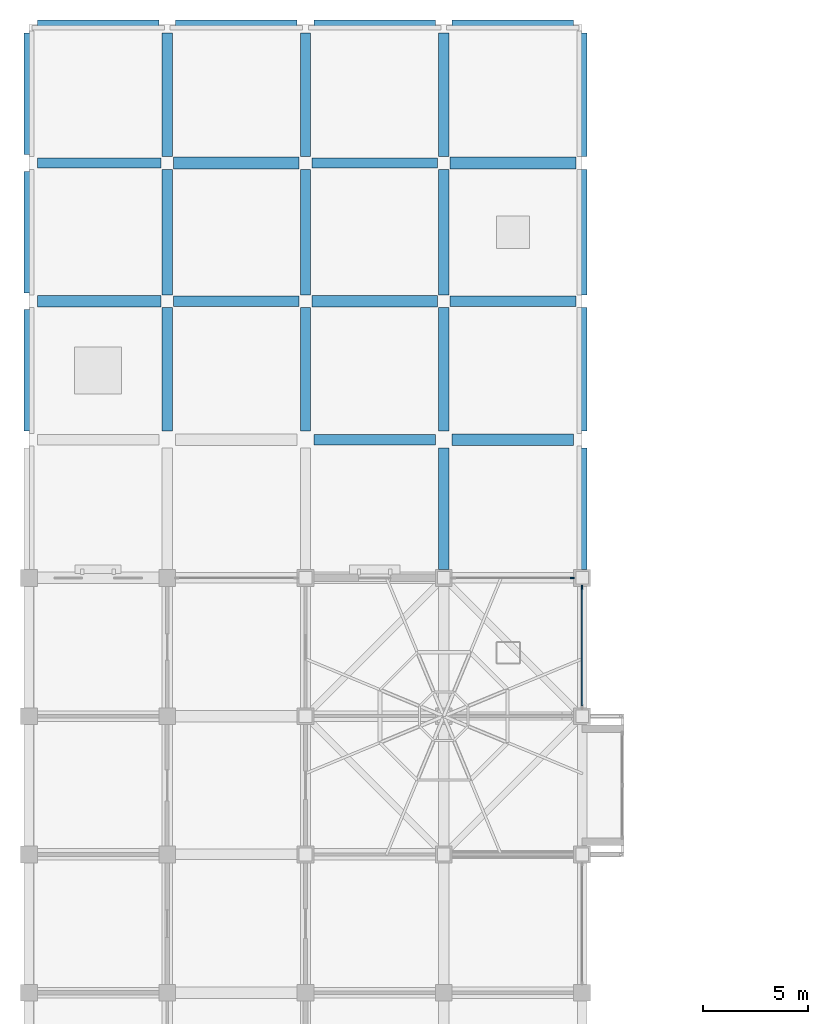
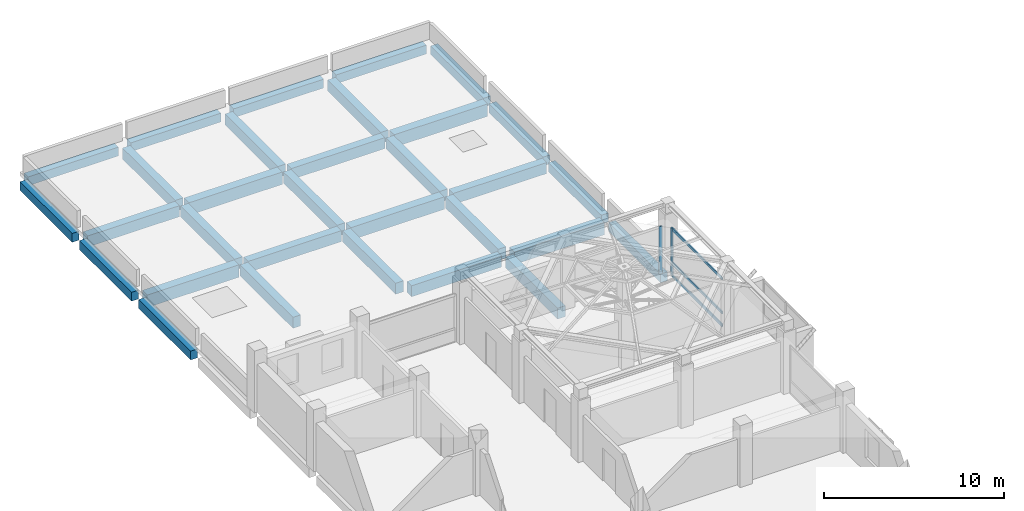
# One storey, part 14 of 30: 31 beams, 5 members, 2 elements without a shape of their own.
"""IFC4 building model written with IfcOpenShell, lengths in metres."""

from ifc_helpers import new_model, si_unit, direction, frame, origin, origin_2d, place, context, subcontext, project, spatial, rectangle, extrude, material, material_profile, profile_set, type_object, element, aggregate, save


model = new_model("IFC4")

# Units and contexts
model_context = context("Model", 3, precision=1e-05, world=origin(), true_north=direction((0.0, 1.0)))
body_context = subcontext(model_context, "Body", "Model", "MODEL_VIEW")
ifc_project = project(units=[si_unit("LENGTHUNIT", "METRE"), si_unit("AREAUNIT", "SQUARE_METRE"), si_unit("VOLUMEUNIT", "CUBIC_METRE"), si_unit("PLANEANGLEUNIT", "RADIAN"), si_unit("MASSUNIT", "GRAM", prefix="KILO")], contexts=[model_context])

# Site, building, storey
site_placement = place(None, origin())
site = spatial("IfcSite", under=ifc_project, at=site_placement, CompositionType="ELEMENT")
building_placement = place(site_placement, origin())
building = spatial("IfcBuilding", under=site, at=building_placement, Name="Rusizi Kubbe Research Institute", CompositionType="ELEMENT")
storey_placement = place(building_placement, frame((0.0, 0.0, 10.199951171875)))
storey = spatial("IfcBuildingStorey", under=building, at=storey_placement, Name="L02", CompositionType="ELEMENT", Elevation=10.199951171875)

# Beams
ifc_material_1 = material(Name="Concrete C40/50", Category="concrete")
ifc_material_profile_1 = material_profile(ifc_material_1, rectangle(XDim=0.449951171875, YDim=0.60009765625, at=origin_2d()), Name="RC450x600")
ifc_profile_set_1 = profile_set([ifc_material_profile_1], Name="Concrete C40/50")
beam_type_1 = type_object("IfcBeamType", Name="BM-RC450x600", PredefinedType="SPANDREL", material=ifc_profile_set_1)
for number, where, z_axis, x_axis, name in (
    (1, (0.39990234375, 145.199951171875, -0.64990234375), (1.0, 0.0, 0.0), (0.0, 1.0, 0.0), "Grid Beam H L02 (0,22)"),
    (2, (7.0, 145.199951171875, -0.64990234375), (1.0, 0.0, 0.0), (0.0, 1.0, 0.0), "Grid Beam H L02 (1,22)"),
):
    element("IfcBeam", number, at=place(storey_placement, frame(where, z_axis=z_axis, x_axis=x_axis)), inside=storey, type_object=beam_type_1, Name=name, PredefinedType="SPANDREL", context=body_context, shape_type="SweptSolid", body=[
        extrude(rectangle(XDim=0.449951171875, YDim=0.60009765625, at=origin_2d()), origin(), (0.0, 0.0, 1.0), 5.800048828125),
    ])
beam_1_placement = place(storey_placement, frame((13.60009765625, 145.199951171875, -0.64990234375), z_axis=(1.0, 0.0, 0.0), x_axis=(0.0, 1.0, 0.0)))
element("IfcBeam", 3, at=beam_1_placement, inside=storey, type_object=beam_type_1, Name="Grid Beam H L02 (2,22)", PredefinedType="SPANDREL", context=body_context, shape_type="SweptSolid", body=[
    extrude(rectangle(XDim=0.449951171875, YDim=0.60009765625, at=origin_2d()), origin(), (0.0, 0.0, 1.0), 5.7998046875),
])
for number, where, z_axis, x_axis, name in (
    (4, (20.199951171875, 145.199951171875, -0.64990234375), (1.0, 0.0, 0.0), (0.0, 1.0, 0.0), "Grid Beam H L02 (3,22)"),
    (5, (0.0, 125.800048828125, -0.64990234375), (0.0, 1.0, 0.0), (-1.0, 0.0, 0.0), "Grid Beam V L02 (0,19)"),
    (6, (0.0, 132.39990234375, -0.64990234375), (0.0, 1.0, 0.0), (-1.0, 0.0, 0.0), "Grid Beam V L02 (0,20)"),
    (7, (0.0, 139.0, -0.64990234375), (0.0, 1.0, 0.0), (-1.0, 0.0, 0.0), "Grid Beam V L02 (0,21)"),
    (8, (26.39990234375, 119.199951171875, -0.64990234375), (0.0, 1.0, 0.0), (-1.0, 0.0, 0.0), "Grid Beam V L02 (4,18)"),
):
    element("IfcBeam", number, at=place(storey_placement, frame(where, z_axis=z_axis, x_axis=x_axis)), inside=storey, type_object=beam_type_1, Name=name, PredefinedType="SPANDREL", context=body_context, shape_type="SweptSolid", body=[
        extrude(rectangle(XDim=0.449951171875, YDim=0.60009765625, at=origin_2d()), origin(), (0.0, 0.0, 1.0), 5.800048828125),
    ])
beam_2_placement = place(storey_placement, frame((26.39990234375, 125.800048828125, -0.64990234375), z_axis=(0.0, 1.0, 0.0), x_axis=(-1.0, 0.0, 0.0)))
element("IfcBeam", 9, at=beam_2_placement, inside=storey, type_object=beam_type_1, Name="Grid Beam V L02 (4,19)", PredefinedType="SPANDREL", context=body_context, shape_type="SweptSolid", body=[
    extrude(rectangle(XDim=0.449951171875, YDim=0.60009765625, at=origin_2d()), origin(), (0.0, 0.0, 1.0), 5.89990234375),
])
beam_3_placement = place(storey_placement, frame((26.39990234375, 132.300048828125, -0.64990234375), z_axis=(0.0, 1.0, 0.0), x_axis=(-1.0, 0.0, 0.0)))
element("IfcBeam", 10, at=beam_3_placement, inside=storey, type_object=beam_type_1, Name="Grid Beam V L02 (4,20)", PredefinedType="SPANDREL", context=body_context, shape_type="SweptSolid", body=[
    extrude(rectangle(XDim=0.449951171875, YDim=0.60009765625, at=origin_2d()), origin(), (0.0, 0.0, 1.0), 6.0),
])
beam_4_placement = place(storey_placement, frame((26.39990234375, 138.89990234375, -0.64990234375), z_axis=(0.0, 1.0, 0.0), x_axis=(-1.0, 0.0, 0.0)))
element("IfcBeam", 11, at=beam_4_placement, inside=storey, type_object=beam_type_1, Name="Grid Beam V L02 (4,21)", PredefinedType="SPANDREL", context=body_context, shape_type="SweptSolid", body=[
    extrude(rectangle(XDim=0.449951171875, YDim=0.60009765625, at=origin_2d()), origin(), (0.0, 0.0, 1.0), 5.900146484375),
])
ifc_material_2 = material(Name="Concrete C45/55", Category="concrete")
ifc_material_profile_2 = material_profile(ifc_material_2, rectangle(XDim=0.5, YDim=0.75, at=origin_2d()), Name="RC500x750B")
ifc_profile_set_2 = profile_set([ifc_material_profile_2], Name="Concrete C45/55")
beam_type_2 = type_object("IfcBeamType", Name="BM-RC500x750", PredefinedType="BEAM", material=ifc_profile_set_2)
beam_5_placement = place(storey_placement, frame((0.39990234375, 138.60009765625, -0.724853515625), z_axis=(1.0, 0.0, 0.0), x_axis=(0.0, 1.0, 0.0)))
element("IfcBeam", 12, at=beam_5_placement, inside=storey, type_object=beam_type_2, Name="Grid Beam H L02 (0,21)", PredefinedType="BEAM", context=body_context, shape_type="SweptSolid", body=[
    extrude(rectangle(XDim=0.5, YDim=0.75, at=origin_2d()), origin(), (0.0, 0.0, 1.0), 5.900146484375),
])
beam_6_placement = place(storey_placement, frame((6.89990234375, 132.0, -0.724853515625), z_axis=(1.0, 0.0, 0.0), x_axis=(0.0, 1.0, 0.0)))
element("IfcBeam", 13, at=beam_6_placement, inside=storey, type_object=beam_type_2, Name="Grid Beam H L02 (1,20)", PredefinedType="BEAM", context=body_context, shape_type="SweptSolid", body=[
    extrude(rectangle(XDim=0.5, YDim=0.75, at=origin_2d()), origin(), (0.0, 0.0, 1.0), 6.0),
])
beam_7_placement = place(storey_placement, frame((13.60009765625, 125.39990234375, -0.724853515625), z_axis=(1.0, 0.0, 0.0), x_axis=(0.0, 1.0, 0.0)))
element("IfcBeam", 14, at=beam_7_placement, inside=storey, type_object=beam_type_2, Name="Grid Beam H L02 (2,19)", PredefinedType="BEAM", context=body_context, shape_type="SweptSolid", body=[
    extrude(rectangle(XDim=0.5, YDim=0.75, at=origin_2d()), origin(), (0.0, 0.0, 1.0), 5.7998046875),
])
for number, where, z_axis, x_axis, name in (
    (15, (13.5, 138.60009765625, -0.724853515625), (1.0, 0.0, 0.0), (0.0, 1.0, 0.0), "Grid Beam H L02 (2,21)"),
    (16, (20.10009765625, 132.0, -0.724853515625), (1.0, 0.0, 0.0), (0.0, 1.0, 0.0), "Grid Beam H L02 (3,20)"),
):
    element("IfcBeam", number, at=place(storey_placement, frame(where, z_axis=z_axis, x_axis=x_axis)), inside=storey, type_object=beam_type_2, Name=name, PredefinedType="BEAM", context=body_context, shape_type="SweptSolid", body=[
        extrude(rectangle(XDim=0.5, YDim=0.75, at=origin_2d()), origin(), (0.0, 0.0, 1.0), 6.0),
    ])
beam_8_placement = place(storey_placement, frame((6.60009765625, 125.800048828125, -0.724853515625), z_axis=(0.0, 1.0, 0.0), x_axis=(-1.0, 0.0, 0.0)))
element("IfcBeam", 17, at=beam_8_placement, inside=storey, type_object=beam_type_2, Name="Grid Beam V L02 (1,19)", PredefinedType="BEAM", context=body_context, shape_type="SweptSolid", body=[
    extrude(rectangle(XDim=0.5, YDim=0.75, at=origin_2d()), origin(), (0.0, 0.0, 1.0), 5.89990234375),
])
beam_9_placement = place(storey_placement, frame((6.60009765625, 132.300048828125, -0.724853515625), z_axis=(0.0, 1.0, 0.0), x_axis=(-1.0, 0.0, 0.0)))
element("IfcBeam", 18, at=beam_9_placement, inside=storey, type_object=beam_type_2, Name="Grid Beam V L02 (1,20)", PredefinedType="BEAM", context=body_context, shape_type="SweptSolid", body=[
    extrude(rectangle(XDim=0.5, YDim=0.75, at=origin_2d()), origin(), (0.0, 0.0, 1.0), 6.0),
])
beam_10_placement = place(storey_placement, frame((6.60009765625, 138.89990234375, -0.724853515625), z_axis=(0.0, 1.0, 0.0), x_axis=(-1.0, 0.0, 0.0)))
element("IfcBeam", 19, at=beam_10_placement, inside=storey, type_object=beam_type_2, Name="Grid Beam V L02 (1,21)", PredefinedType="BEAM", context=body_context, shape_type="SweptSolid", body=[
    extrude(rectangle(XDim=0.5, YDim=0.75, at=origin_2d()), origin(), (0.0, 0.0, 1.0), 5.900146484375),
])
beam_11_placement = place(storey_placement, frame((13.199951171875, 125.800048828125, -0.724853515625), z_axis=(0.0, 1.0, 0.0), x_axis=(-1.0, 0.0, 0.0)))
element("IfcBeam", 20, at=beam_11_placement, inside=storey, type_object=beam_type_2, Name="Grid Beam V L02 (2,19)", PredefinedType="BEAM", context=body_context, shape_type="SweptSolid", body=[
    extrude(rectangle(XDim=0.5, YDim=0.75, at=origin_2d()), origin(), (0.0, 0.0, 1.0), 5.89990234375),
])
beam_12_placement = place(storey_placement, frame((13.199951171875, 132.300048828125, -0.724853515625), z_axis=(0.0, 1.0, 0.0), x_axis=(-1.0, 0.0, 0.0)))
element("IfcBeam", 21, at=beam_12_placement, inside=storey, type_object=beam_type_2, Name="Grid Beam V L02 (2,20)", PredefinedType="BEAM", context=body_context, shape_type="SweptSolid", body=[
    extrude(rectangle(XDim=0.5, YDim=0.75, at=origin_2d()), origin(), (0.0, 0.0, 1.0), 6.0),
])
beam_13_placement = place(storey_placement, frame((13.199951171875, 138.89990234375, -0.724853515625), z_axis=(0.0, 1.0, 0.0), x_axis=(-1.0, 0.0, 0.0)))
element("IfcBeam", 22, at=beam_13_placement, inside=storey, type_object=beam_type_2, Name="Grid Beam V L02 (2,21)", PredefinedType="BEAM", context=body_context, shape_type="SweptSolid", body=[
    extrude(rectangle(XDim=0.5, YDim=0.75, at=origin_2d()), origin(), (0.0, 0.0, 1.0), 5.900146484375),
])
beam_14_placement = place(storey_placement, frame((19.800048828125, 119.199951171875, -0.724853515625), z_axis=(0.0, 1.0, 0.0), x_axis=(-1.0, 0.0, 0.0)))
element("IfcBeam", 23, at=beam_14_placement, inside=storey, type_object=beam_type_2, Name="Grid Beam V L02 (3,18)", PredefinedType="BEAM", context=body_context, shape_type="SweptSolid", body=[
    extrude(rectangle(XDim=0.5, YDim=0.75, at=origin_2d()), origin(), (0.0, 0.0, 1.0), 5.800048828125),
])
beam_15_placement = place(storey_placement, frame((19.800048828125, 125.800048828125, -0.724853515625), z_axis=(0.0, 1.0, 0.0), x_axis=(-1.0, 0.0, 0.0)))
element("IfcBeam", 24, at=beam_15_placement, inside=storey, type_object=beam_type_2, Name="Grid Beam V L02 (3,19)", PredefinedType="BEAM", context=body_context, shape_type="SweptSolid", body=[
    extrude(rectangle(XDim=0.5, YDim=0.75, at=origin_2d()), origin(), (0.0, 0.0, 1.0), 5.89990234375),
])
beam_16_placement = place(storey_placement, frame((19.800048828125, 132.300048828125, -0.724853515625), z_axis=(0.0, 1.0, 0.0), x_axis=(-1.0, 0.0, 0.0)))
element("IfcBeam", 25, at=beam_16_placement, inside=storey, type_object=beam_type_2, Name="Grid Beam V L02 (3,20)", PredefinedType="BEAM", context=body_context, shape_type="SweptSolid", body=[
    extrude(rectangle(XDim=0.5, YDim=0.75, at=origin_2d()), origin(), (0.0, 0.0, 1.0), 6.0),
])
beam_17_placement = place(storey_placement, frame((19.800048828125, 138.89990234375, -0.724853515625), z_axis=(0.0, 1.0, 0.0), x_axis=(-1.0, 0.0, 0.0)))
element("IfcBeam", 26, at=beam_17_placement, inside=storey, type_object=beam_type_2, Name="Grid Beam V L02 (3,21)", PredefinedType="BEAM", context=body_context, shape_type="SweptSolid", body=[
    extrude(rectangle(XDim=0.5, YDim=0.75, at=origin_2d()), origin(), (0.0, 0.0, 1.0), 5.900146484375),
])
ifc_material_3 = material(Name="Concrete C45/55", Category="concrete")
ifc_material_profile_3 = material_profile(ifc_material_3, rectangle(XDim=0.550048828125, YDim=0.85009765625, at=origin_2d()), Name="RC550x850")
ifc_profile_set_3 = profile_set([ifc_material_profile_3], Name="Concrete C45/55")
beam_type_3 = type_object("IfcBeamType", Name="BM-RC550x850", PredefinedType="BEAM", material=ifc_profile_set_3)
beam_18_placement = place(storey_placement, frame((0.39990234375, 132.0, -0.77490234375), z_axis=(1.0, 0.0, 0.0), x_axis=(0.0, 1.0, 0.0)))
element("IfcBeam", 27, at=beam_18_placement, inside=storey, type_object=beam_type_3, Name="Grid Beam H L02 (0,20)", PredefinedType="BEAM", context=body_context, shape_type="SweptSolid", body=[
    extrude(rectangle(XDim=0.550048828125, YDim=0.85009765625, at=origin_2d()), origin(), (0.0, 0.0, 1.0), 5.900146484375),
])
for number, where, z_axis, x_axis, name in (
    (28, (6.89990234375, 138.60009765625, -0.77490234375), (1.0, 0.0, 0.0), (0.0, 1.0, 0.0), "Grid Beam H L02 (1,21)"),
    (29, (13.5, 132.0, -0.77490234375), (1.0, 0.0, 0.0), (0.0, 1.0, 0.0), "Grid Beam H L02 (2,20)"),
):
    element("IfcBeam", number, at=place(storey_placement, frame(where, z_axis=z_axis, x_axis=x_axis)), inside=storey, type_object=beam_type_3, Name=name, PredefinedType="BEAM", context=body_context, shape_type="SweptSolid", body=[
        extrude(rectangle(XDim=0.550048828125, YDim=0.85009765625, at=origin_2d()), origin(), (0.0, 0.0, 1.0), 6.0),
    ])
beam_19_placement = place(storey_placement, frame((20.199951171875, 125.39990234375, -0.77490234375), z_axis=(1.0, 0.0, 0.0), x_axis=(0.0, 1.0, 0.0)))
element("IfcBeam", 30, at=beam_19_placement, inside=storey, type_object=beam_type_3, Name="Grid Beam H L02 (3,19)", PredefinedType="BEAM", context=body_context, shape_type="SweptSolid", body=[
    extrude(rectangle(XDim=0.550048828125, YDim=0.85009765625, at=origin_2d()), origin(), (0.0, 0.0, 1.0), 5.800048828125),
])
beam_20_placement = place(storey_placement, frame((20.10009765625, 138.60009765625, -0.77490234375), z_axis=(1.0, 0.0, 0.0), x_axis=(0.0, 1.0, 0.0)))
element("IfcBeam", 31, at=beam_20_placement, inside=storey, type_object=beam_type_3, Name="Grid Beam H L02 (3,21)", PredefinedType="BEAM", context=body_context, shape_type="SweptSolid", body=[
    extrude(rectangle(XDim=0.550048828125, YDim=0.85009765625, at=origin_2d()), origin(), (0.0, 0.0, 1.0), 6.0),
])

# Curtain wall, member
ifc_material_4 = material(Name="Thermally Broken Aluminium and Low-E Glazing", Category="aluminium")
curtain_wall_type = type_object("IfcCurtainWallType", Name="CW-05", PredefinedType="NOTDEFINED", material=ifc_material_4)
curtain_wall_1_placement = place(storey_placement, origin())
curtain_wall_1 = element("IfcCurtainWall", 32, at=curtain_wall_1_placement, inside=storey, type_object=curtain_wall_type, Name="Unitised Facade Curtain Wall CW-L02-H-03-18", PredefinedType="NOTDEFINED")
ifc_material_5 = material(Name="Aluminium Alloy 6063-T6", Category="aluminium")
ifc_material_profile_4 = material_profile(ifc_material_5, rectangle(XDim=0.06494140625, YDim=0.199951171875, at=origin_2d()), Name="ALU-M 65x200")
ifc_profile_set_4 = profile_set([ifc_material_profile_4], Name="Aluminium Alloy 6063-T6")
member_type_1 = type_object("IfcMemberType", Name="ML-03", PredefinedType="MULLION", material=ifc_profile_set_4)
member_1_placement = place(storey_placement, frame((25.9375, 118.800048828125, 0.0), z_axis=(0.0, 0.0, 1.0), x_axis=(0.0, 1.0, 0.0)))
member_1 = element("IfcMember", 33, at=member_1_placement, type_object=member_type_1, Name="CW-05 mullion 2", PredefinedType="MULLION", context=body_context, shape_type="SweptSolid", body=[
    extrude(rectangle(XDim=0.06494140625, YDim=0.199951171875, at=origin_2d()), origin(), (0.0, 0.0, 1.0), 3.25),
])
aggregate(curtain_wall_1, [member_1])

# Curtain wall, members
curtain_wall_2_placement = place(storey_placement, origin())
curtain_wall_2 = element("IfcCurtainWall", 34, at=curtain_wall_2_placement, inside=storey, type_object=curtain_wall_type, Name="Unitised Facade Curtain Wall CW-L02-V-04-17", PredefinedType="NOTDEFINED")
ifc_material_6 = material(Name="Aluminium Alloy 6063-T6", Category="aluminium")
ifc_material_profile_5 = material_profile(ifc_material_6, rectangle(XDim=0.070068359375, YDim=0.219970703125, at=origin_2d()), Name="ALU-M 70x220")
ifc_profile_set_5 = profile_set([ifc_material_profile_5], Name="Aluminium Alloy 6063-T6")
member_type_2 = type_object("IfcMemberType", Name="ML-04", PredefinedType="MULLION", material=ifc_profile_set_5)
member_2_placement = place(storey_placement, frame((26.39990234375, 118.3349609375, 0.0), z_axis=(0.0, 0.0, 1.0), x_axis=(-1.0, 0.0, 0.0)))
member_2 = element("IfcMember", 35, at=member_2_placement, type_object=member_type_2, Name="CW-05 mullion 2", PredefinedType="MULLION", context=body_context, shape_type="SweptSolid", body=[
    extrude(rectangle(XDim=0.070068359375, YDim=0.219970703125, at=origin_2d()), origin(), (0.0, 0.0, 1.0), 3.25),
])
ifc_material_7 = material(Name="Aluminium Alloy 6063-T6", Category="aluminium")
ifc_material_profile_6 = material_profile(ifc_material_7, rectangle(XDim=0.070068359375, YDim=0.18994140625, at=origin_2d()), Name="ALU-T 70x190")
ifc_profile_set_6 = profile_set([ifc_material_profile_6], Name="Aluminium Alloy 6063-T6")
member_type_3 = type_object("IfcMemberType", Name="TR-04", PredefinedType="USERDEFINED", material=ifc_profile_set_6)
member_3_placement = place(storey_placement, frame((26.39990234375, 112.699951171875, 0.03515625), z_axis=(0.0, 1.0, 0.0), x_axis=(-1.0, 0.0, 0.0)))
member_3 = element("IfcMember", 36, at=member_3_placement, type_object=member_type_3, Name="CW-05 transom 1.1", ObjectType="TRANSOM", PredefinedType="USERDEFINED", context=body_context, shape_type="SweptSolid", body=[
    extrude(rectangle(XDim=0.070068359375, YDim=0.18994140625, at=origin_2d()), origin(), (0.0, 0.0, 1.0), 5.60009765625),
])
member_4_placement = place(storey_placement, frame((26.39990234375, 112.699951171875, 0.900146484375), z_axis=(0.0, 1.0, 0.0), x_axis=(-1.0, 0.0, 0.0)))
member_4 = element("IfcMember", 37, at=member_4_placement, type_object=member_type_3, Name="CW-05 transom 1.2", ObjectType="TRANSOM", PredefinedType="USERDEFINED", context=body_context, shape_type="SweptSolid", body=[
    extrude(rectangle(XDim=0.070068359375, YDim=0.18994140625, at=origin_2d()), origin(), (0.0, 0.0, 1.0), 5.60009765625),
])
member_5_placement = place(storey_placement, frame((26.39990234375, 112.699951171875, 3.215087890625), z_axis=(0.0, 1.0, 0.0), x_axis=(-1.0, 0.0, 0.0)))
member_5 = element("IfcMember", 38, at=member_5_placement, type_object=member_type_3, Name="CW-05 transom 1.3", ObjectType="TRANSOM", PredefinedType="USERDEFINED", context=body_context, shape_type="SweptSolid", body=[
    extrude(rectangle(XDim=0.070068359375, YDim=0.18994140625, at=origin_2d()), origin(), (0.0, 0.0, 1.0), 5.60009765625),
])
aggregate(curtain_wall_2, [member_2, member_3, member_4, member_5])

save(model, "model.ifc")
